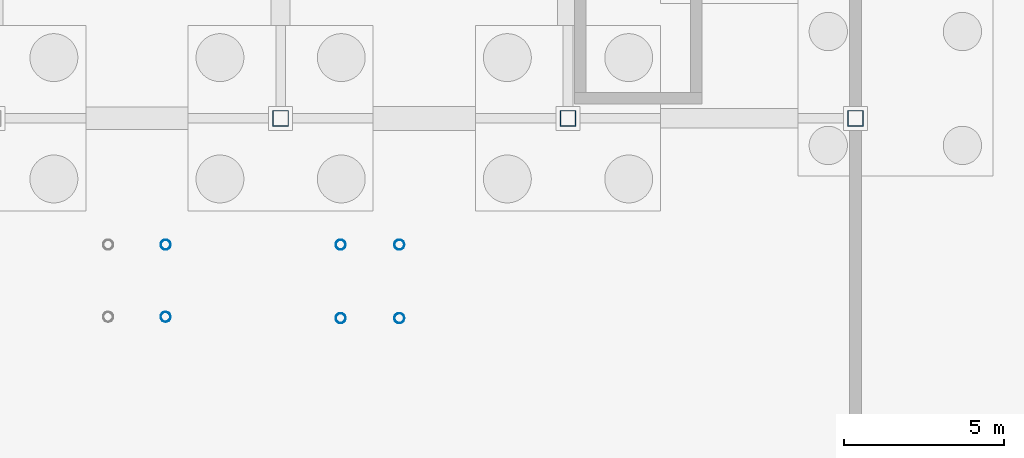
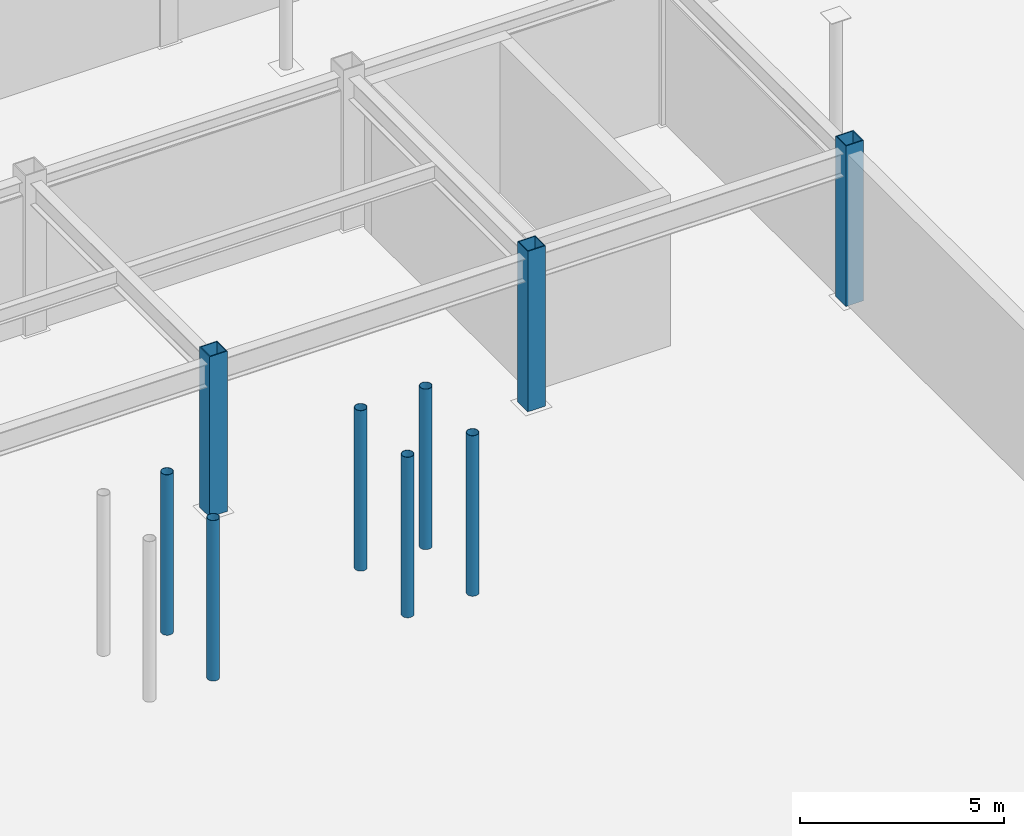
# One storey, part 23 of 74: 9 columns.
"""IFC4 building model written with IfcOpenShell, lengths in metres."""

from ifc_helpers import new_model, si_unit, direction, frame, origin, origin_2d, place, context, subcontext, project, spatial, hollow_rectangle, hollow_circle, extrude, material, material_profile, profile_set, type_object, element, save


model = new_model("IFC4")

# Units and contexts
model_context = context("Model", 3, precision=1e-05, world=origin(), true_north=direction((0.0, 1.0)))
body_context = subcontext(model_context, "Body", "Model", "MODEL_VIEW")
ifc_project = project(units=[si_unit("LENGTHUNIT", "METRE"), si_unit("AREAUNIT", "SQUARE_METRE"), si_unit("VOLUMEUNIT", "CUBIC_METRE"), si_unit("PLANEANGLEUNIT", "RADIAN"), si_unit("MASSUNIT", "GRAM", prefix="KILO")], contexts=[model_context])

# Site, building, storey
site_placement = place(None, origin())
site = spatial("IfcSite", under=ifc_project, at=site_placement, CompositionType="ELEMENT")
building_placement = place(site_placement, origin())
building = spatial("IfcBuilding", under=site, at=building_placement, Name="Suzunagisa Mobility Hub", CompositionType="ELEMENT")
storey_placement = place(building_placement, frame((0.0, 0.0, -4.800048828125)))
storey = spatial("IfcBuildingStorey", under=building, at=storey_placement, Name="B1", CompositionType="ELEMENT", Elevation=-4.800048828125)

# Columns
ifc_material = material(Name="Steel SN490B", Category="steel")
ifc_material_profile_1 = material_profile(ifc_material, hollow_circle(Radius=0.1591796875, WallThickness=0.01025390625, at=origin_2d()), Name="CHS-318.5x10.3")
ifc_profile_set_1 = profile_set([ifc_material_profile_1], Name="Steel SN490B")
column_type_1 = type_object("IfcColumnType", Name="Steel Column CL-09 CHS-318.5x10.3", PredefinedType="COLUMN", material=ifc_profile_set_1)
for number, where, z_axis, x_axis, name in (
    (1, (95.39990234375, 55.780029296875, 0.0), (0.0, 0.0, 1.0), (1.0, 0.0, 0.0), "B1 Concourse Stair Pier CS-05-2"),
    (2, (95.39990234375, 58.0400390625, 0.0), (0.0, 0.0, 1.0), (1.0, 0.0, 0.0), "B1 Concourse Stair Pier CS-05-4"),
    (3, (100.8798828125, 55.739990234375, 0.0), (0.0, 0.0, 1.0), (1.0, 0.0, 0.0), "B1 Concourse Stair Pier CS-06-1"),
    (4, (102.719970703125, 55.739990234375, 0.0), (0.0, 0.0, 1.0), (1.0, 0.0, 0.0), "B1 Concourse Stair Pier CS-06-2"),
    (5, (100.8798828125, 58.0400390625, 0.0), (0.0, 0.0, 1.0), (1.0, 0.0, 0.0), "B1 Concourse Stair Pier CS-06-3"),
    (6, (102.719970703125, 58.0400390625, 0.0), (0.0, 0.0, 1.0), (1.0, 0.0, 0.0), "B1 Concourse Stair Pier CS-06-4"),
):
    element("IfcColumn", number, at=place(storey_placement, frame(where, z_axis=z_axis, x_axis=x_axis)), inside=storey, type_object=column_type_1, Name=name, PredefinedType="COLUMN", context=body_context, shape_type="SweptSolid", body=[
        extrude(hollow_circle(Radius=0.1591796875, WallThickness=0.01025390625, at=origin_2d()), origin(), (0.0, 0.0, 1.0), 4.800048828125),
    ])
ifc_material_profile_2 = material_profile(ifc_material, hollow_rectangle(XDim=0.5, YDim=0.5, WallThickness=0.02490234375, at=origin_2d()), Name="BCR-500x500x25")
ifc_profile_set_2 = profile_set([ifc_material_profile_2], Name="Steel SN490B")
column_type_2 = type_object("IfcColumnType", Name="Steel Column CL-11 BCR-500x500x25", PredefinedType="COLUMN", material=ifc_profile_set_2)
for number, where, z_axis, x_axis, name in (
    (7, (99.0, 62.0, 0.0), (0.0, 0.0, 1.0), (1.0, 0.0, 0.0), "B1 Column 193"),
    (8, (108.0, 62.0, 0.0), (0.0, 0.0, 1.0), (1.0, 0.0, 0.0), "B1 Column 202"),
    (9, (117.0, 62.0, 0.0), (0.0, 0.0, 1.0), (1.0, 0.0, 0.0), "B1 Column 213"),
):
    element("IfcColumn", number, at=place(storey_placement, frame(where, z_axis=z_axis, x_axis=x_axis)), inside=storey, type_object=column_type_2, Name=name, PredefinedType="COLUMN", context=body_context, shape_type="SweptSolid", body=[
        extrude(hollow_rectangle(XDim=0.5, YDim=0.5, WallThickness=0.02490234375, at=origin_2d()), origin(), (0.0, 0.0, 1.0), 4.800048828125),
    ])

save(model, "model.ifc")
